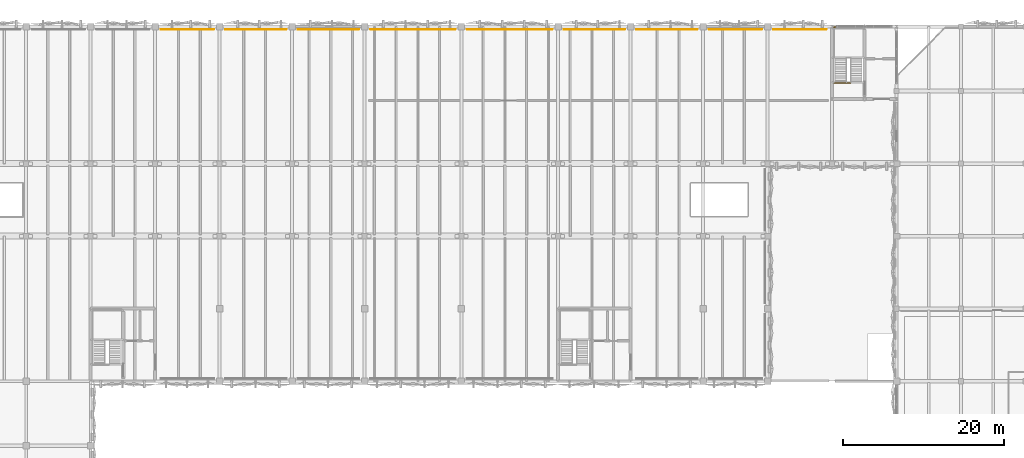
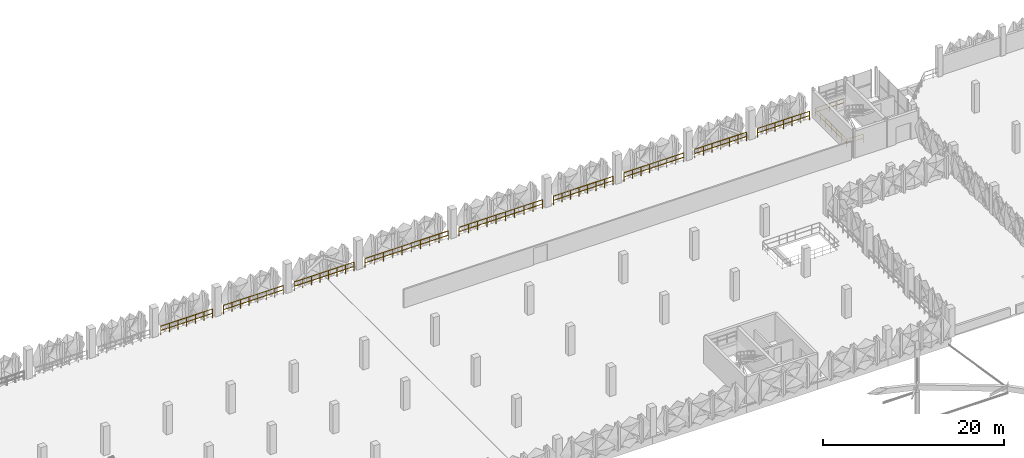
# One storey, part 95 of 96: 10 railings.
"""IFC4 building model written with IfcOpenShell, lengths in metres."""

from ifc_helpers import new_model, si_unit, derived_unit, direction, frame, origin, origin_2d, place, context, subcontext, project, spatial, circle, extrude, material, type_object, element, save


model = new_model("IFC4")

# Units and contexts
model_context = context("Model", 3, precision=1e-05, world=origin(), true_north=direction((0.0, 1.0)))
body_context = subcontext(model_context, "Body", "Model", "MODEL_VIEW")
ifc_project = project(units=[si_unit("LENGTHUNIT", "METRE"), si_unit("AREAUNIT", "SQUARE_METRE"), si_unit("VOLUMEUNIT", "CUBIC_METRE"), si_unit("PLANEANGLEUNIT", "RADIAN"), si_unit("MASSUNIT", "GRAM", prefix="KILO"), si_unit("THERMODYNAMICTEMPERATUREUNIT", "KELVIN"), derived_unit("THERMALTRANSMITTANCEUNIT", [(si_unit("POWERUNIT", "WATT"), 1), (si_unit("AREAUNIT", "SQUARE_METRE"), -1), (si_unit("THERMODYNAMICTEMPERATUREUNIT", "KELVIN"), -1)])], contexts=[model_context])

# Site, building, storey
site_placement = place(None, origin())
site = spatial("IfcSite", under=ifc_project, at=site_placement, CompositionType="ELEMENT")
building_placement = place(site_placement, origin())
building = spatial("IfcBuilding", under=site, at=building_placement, Name="Haiyu Intermodal Mobility Hub", CompositionType="ELEMENT")
storey_placement = place(building_placement, frame((0.0, 0.0, 9.5)))
storey = spatial("IfcBuildingStorey", under=building, at=storey_placement, Name="L02", CompositionType="ELEMENT", Elevation=9.5)

# Railings
ifc_material = material(Name="Steel Q355C", Category="steel")
railing_type_1 = type_object("IfcRailingType", Name="RAL-GR01", PredefinedType="GUARDRAIL", material=ifc_material)
railing_1_placement = place(storey_placement, frame((77.300048828125, 147.659912109375, 0.0)))
element("IfcRailing", 1, at=railing_1_placement, inside=storey, type_object=railing_type_1, Name="RAL-CAR-N-0037", PredefinedType="GUARDRAIL", context=body_context, shape_type="SweptSolid", body=[
    extrude(circle(Radius=0.02392578125, at=origin_2d()), frame((-0.030029296875, 0.0, 1.17578125), z_axis=(-1.0, 0.0, 0.0), x_axis=(0.0, -1.0, 0.0)), (0.0, 0.0, 1.0), 6.5400390625),
    extrude(circle(Radius=0.02392578125, at=origin_2d()), frame((-0.037353515625, 0.0, 0.60009765625), z_axis=(-1.0, 0.0, 0.0), x_axis=(0.0, -1.0, 0.0)), (0.0, 0.0, 1.0), 1.025390625),
    extrude(circle(Radius=0.02392578125, at=origin_2d()), frame((-1.13720703125, 0.0, 0.60009765625), z_axis=(-1.0, 0.0, 0.0), x_axis=(0.0, -1.0, 0.0)), (0.0, 0.0, 1.0), 1.025390625),
    extrude(circle(Radius=0.02392578125, at=origin_2d()), frame((-2.2373046875, 0.0, 0.60009765625), z_axis=(-1.0, 0.0, 0.0), x_axis=(0.0, -1.0, 0.0)), (0.0, 0.0, 1.0), 1.025390625),
    extrude(circle(Radius=0.02392578125, at=origin_2d()), frame((-3.33740234375, 0.0, 0.60009765625), z_axis=(-1.0, 0.0, 0.0), x_axis=(0.0, -1.0, 0.0)), (0.0, 0.0, 1.0), 1.025390625),
    extrude(circle(Radius=0.02392578125, at=origin_2d()), frame((-4.437255859375, 0.0, 0.60009765625), z_axis=(-1.0, 0.0, 0.0), x_axis=(0.0, -1.0, 0.0)), (0.0, 0.0, 1.0), 1.025390625),
    extrude(circle(Radius=0.02392578125, at=origin_2d()), frame((-5.537353515625, 0.0, 0.60009765625), z_axis=(-1.0, 0.0, 0.0), x_axis=(0.0, -1.0, 0.0)), (0.0, 0.0, 1.0), 1.025390625),
    extrude(circle(Radius=0.02099609375, at=origin_2d()), origin(), (0.0, 0.0, 1.0), 1.143798828125),
    extrude(circle(Radius=0.02099609375, at=origin_2d()), frame((-1.10009765625, 0.0, 0.0)), (0.0, 0.0, 1.0), 1.143798828125),
    extrude(circle(Radius=0.02099609375, at=origin_2d()), frame((-2.199951171875, 0.0, 0.0)), (0.0, 0.0, 1.0), 1.143798828125),
    extrude(circle(Radius=0.02099609375, at=origin_2d()), frame((-3.300048828125, 0.0, 0.0)), (0.0, 0.0, 1.0), 1.143798828125),
    extrude(circle(Radius=0.02099609375, at=origin_2d()), frame((-4.400146484375, 0.0, 0.0)), (0.0, 0.0, 1.0), 1.143798828125),
    extrude(circle(Radius=0.02099609375, at=origin_2d()), frame((-5.5, 0.0, 0.0)), (0.0, 0.0, 1.0), 1.143798828125),
    extrude(circle(Radius=0.02099609375, at=origin_2d()), frame((-6.60009765625, 0.0, 0.0)), (0.0, 0.0, 1.0), 1.143798828125),
])
railing_2_placement = place(storey_placement, frame((86.300048828125, 147.659912109375, 0.0)))
element("IfcRailing", 2, at=railing_2_placement, inside=storey, type_object=railing_type_1, Name="RAL-CAR-N-0042", PredefinedType="GUARDRAIL", context=body_context, shape_type="SweptSolid", body=[
    extrude(circle(Radius=0.02392578125, at=origin_2d()), frame((-0.030029296875, 0.0, 1.17578125), z_axis=(-1.0, 0.0, 0.0), x_axis=(0.0, -1.0, 0.0)), (0.0, 0.0, 1.0), 7.5400390625),
    extrude(circle(Radius=0.02392578125, at=origin_2d()), frame((-0.037353515625, 0.0, 0.60009765625), z_axis=(-1.0, 0.0, 0.0), x_axis=(0.0, -1.0, 0.0)), (0.0, 0.0, 1.0), 1.01123046875),
    extrude(circle(Radius=0.02392578125, at=origin_2d()), frame((-1.123046875, 0.0, 0.60009765625), z_axis=(-1.0, 0.0, 0.0), x_axis=(0.0, -1.0, 0.0)), (0.0, 0.0, 1.0), 1.01123046875),
    extrude(circle(Radius=0.02392578125, at=origin_2d()), frame((-2.208740234375, 0.0, 0.60009765625), z_axis=(-1.0, 0.0, 0.0), x_axis=(0.0, -1.0, 0.0)), (0.0, 0.0, 1.0), 1.01123046875),
    extrude(circle(Radius=0.02392578125, at=origin_2d()), frame((-3.29443359375, 0.0, 0.60009765625), z_axis=(-1.0, 0.0, 0.0), x_axis=(0.0, -1.0, 0.0)), (0.0, 0.0, 1.0), 1.01123046875),
    extrude(circle(Radius=0.02392578125, at=origin_2d()), frame((-4.380126953125, 0.0, 0.60009765625), z_axis=(-1.0, 0.0, 0.0), x_axis=(0.0, -1.0, 0.0)), (0.0, 0.0, 1.0), 1.01123046875),
    extrude(circle(Radius=0.02392578125, at=origin_2d()), frame((-5.4658203125, 0.0, 0.60009765625), z_axis=(-1.0, 0.0, 0.0), x_axis=(0.0, -1.0, 0.0)), (0.0, 0.0, 1.0), 1.01123046875),
    extrude(circle(Radius=0.02392578125, at=origin_2d()), frame((-6.5517578125, 0.0, 0.60009765625), z_axis=(-1.0, 0.0, 0.0), x_axis=(0.0, -1.0, 0.0)), (0.0, 0.0, 1.0), 1.01123046875),
    extrude(circle(Radius=0.02099609375, at=origin_2d()), origin(), (0.0, 0.0, 1.0), 1.143798828125),
    extrude(circle(Radius=0.02099609375, at=origin_2d()), frame((-1.085693359375, 0.0, 0.0)), (0.0, 0.0, 1.0), 1.143798828125),
    extrude(circle(Radius=0.02099609375, at=origin_2d()), frame((-2.17138671875, 0.0, 0.0)), (0.0, 0.0, 1.0), 1.143798828125),
    extrude(circle(Radius=0.02099609375, at=origin_2d()), frame((-3.257080078125, 0.0, 0.0)), (0.0, 0.0, 1.0), 1.143798828125),
    extrude(circle(Radius=0.02099609375, at=origin_2d()), frame((-4.343017578125, 0.0, 0.0)), (0.0, 0.0, 1.0), 1.143798828125),
    extrude(circle(Radius=0.02099609375, at=origin_2d()), frame((-5.4287109375, 0.0, 0.0)), (0.0, 0.0, 1.0), 1.143798828125),
    extrude(circle(Radius=0.02099609375, at=origin_2d()), frame((-6.514404296875, 0.0, 0.0)), (0.0, 0.0, 1.0), 1.143798828125),
    extrude(circle(Radius=0.02099609375, at=origin_2d()), frame((-7.60009765625, 0.0, 0.0)), (0.0, 0.0, 1.0), 1.143798828125),
])
railing_3_placement = place(storey_placement, frame((95.300048828125, 147.659912109375, 0.0)))
element("IfcRailing", 3, at=railing_3_placement, inside=storey, type_object=railing_type_1, Name="RAL-CAR-N-0047", PredefinedType="GUARDRAIL", context=body_context, shape_type="SweptSolid", body=[
    extrude(circle(Radius=0.02392578125, at=origin_2d()), frame((-0.030029296875, 0.0, 1.17578125), z_axis=(-1.0, 0.0, 0.0), x_axis=(0.0, -1.0, 0.0)), (0.0, 0.0, 1.0), 7.5400390625),
    extrude(circle(Radius=0.02392578125, at=origin_2d()), frame((-0.037353515625, 0.0, 0.60009765625), z_axis=(-1.0, 0.0, 0.0), x_axis=(0.0, -1.0, 0.0)), (0.0, 0.0, 1.0), 1.01123046875),
    extrude(circle(Radius=0.02392578125, at=origin_2d()), frame((-1.123046875, 0.0, 0.60009765625), z_axis=(-1.0, 0.0, 0.0), x_axis=(0.0, -1.0, 0.0)), (0.0, 0.0, 1.0), 1.01123046875),
    extrude(circle(Radius=0.02392578125, at=origin_2d()), frame((-2.208740234375, 0.0, 0.60009765625), z_axis=(-1.0, 0.0, 0.0), x_axis=(0.0, -1.0, 0.0)), (0.0, 0.0, 1.0), 1.01123046875),
    extrude(circle(Radius=0.02392578125, at=origin_2d()), frame((-3.29443359375, 0.0, 0.60009765625), z_axis=(-1.0, 0.0, 0.0), x_axis=(0.0, -1.0, 0.0)), (0.0, 0.0, 1.0), 1.01123046875),
    extrude(circle(Radius=0.02392578125, at=origin_2d()), frame((-4.380126953125, 0.0, 0.60009765625), z_axis=(-1.0, 0.0, 0.0), x_axis=(0.0, -1.0, 0.0)), (0.0, 0.0, 1.0), 1.01123046875),
    extrude(circle(Radius=0.02392578125, at=origin_2d()), frame((-5.4658203125, 0.0, 0.60009765625), z_axis=(-1.0, 0.0, 0.0), x_axis=(0.0, -1.0, 0.0)), (0.0, 0.0, 1.0), 1.01123046875),
    extrude(circle(Radius=0.02392578125, at=origin_2d()), frame((-6.5517578125, 0.0, 0.60009765625), z_axis=(-1.0, 0.0, 0.0), x_axis=(0.0, -1.0, 0.0)), (0.0, 0.0, 1.0), 1.01123046875),
    extrude(circle(Radius=0.02099609375, at=origin_2d()), origin(), (0.0, 0.0, 1.0), 1.143798828125),
    extrude(circle(Radius=0.02099609375, at=origin_2d()), frame((-1.085693359375, 0.0, 0.0)), (0.0, 0.0, 1.0), 1.143798828125),
    extrude(circle(Radius=0.02099609375, at=origin_2d()), frame((-2.17138671875, 0.0, 0.0)), (0.0, 0.0, 1.0), 1.143798828125),
    extrude(circle(Radius=0.02099609375, at=origin_2d()), frame((-3.257080078125, 0.0, 0.0)), (0.0, 0.0, 1.0), 1.143798828125),
    extrude(circle(Radius=0.02099609375, at=origin_2d()), frame((-4.343017578125, 0.0, 0.0)), (0.0, 0.0, 1.0), 1.143798828125),
    extrude(circle(Radius=0.02099609375, at=origin_2d()), frame((-5.4287109375, 0.0, 0.0)), (0.0, 0.0, 1.0), 1.143798828125),
    extrude(circle(Radius=0.02099609375, at=origin_2d()), frame((-6.514404296875, 0.0, 0.0)), (0.0, 0.0, 1.0), 1.143798828125),
    extrude(circle(Radius=0.02099609375, at=origin_2d()), frame((-7.60009765625, 0.0, 0.0)), (0.0, 0.0, 1.0), 1.143798828125),
])
railing_4_placement = place(storey_placement, frame((107.300048828125, 147.659912109375, 0.0)))
element("IfcRailing", 4, at=railing_4_placement, inside=storey, type_object=railing_type_1, Name="RAL-CAR-N-0052", PredefinedType="GUARDRAIL", context=body_context, shape_type="SweptSolid", body=[
    extrude(circle(Radius=0.02392578125, at=origin_2d()), frame((-0.030029296875, 0.0, 1.17578125), z_axis=(-1.0, 0.0, 0.0), x_axis=(0.0, -1.0, 0.0)), (0.0, 0.0, 1.0), 10.5400390625),
    extrude(circle(Radius=0.02392578125, at=origin_2d()), frame((-0.037353515625, 0.0, 0.60009765625), z_axis=(-1.0, 0.0, 0.0), x_axis=(0.0, -1.0, 0.0)), (0.0, 0.0, 1.0), 1.103271484375),
    extrude(circle(Radius=0.02392578125, at=origin_2d()), frame((-1.215087890625, 0.0, 0.60009765625), z_axis=(-1.0, 0.0, 0.0), x_axis=(0.0, -1.0, 0.0)), (0.0, 0.0, 1.0), 1.103271484375),
    extrude(circle(Radius=0.02392578125, at=origin_2d()), frame((-2.392822265625, 0.0, 0.60009765625), z_axis=(-1.0, 0.0, 0.0), x_axis=(0.0, -1.0, 0.0)), (0.0, 0.0, 1.0), 1.103271484375),
    extrude(circle(Radius=0.02392578125, at=origin_2d()), frame((-3.570556640625, 0.0, 0.60009765625), z_axis=(-1.0, 0.0, 0.0), x_axis=(0.0, -1.0, 0.0)), (0.0, 0.0, 1.0), 1.103271484375),
    extrude(circle(Radius=0.02392578125, at=origin_2d()), frame((-4.74853515625, 0.0, 0.60009765625), z_axis=(-1.0, 0.0, 0.0), x_axis=(0.0, -1.0, 0.0)), (0.0, 0.0, 1.0), 1.103271484375),
    extrude(circle(Radius=0.02392578125, at=origin_2d()), frame((-5.92626953125, 0.0, 0.60009765625), z_axis=(-1.0, 0.0, 0.0), x_axis=(0.0, -1.0, 0.0)), (0.0, 0.0, 1.0), 1.103271484375),
    extrude(circle(Radius=0.02392578125, at=origin_2d()), frame((-7.10400390625, 0.0, 0.60009765625), z_axis=(-1.0, 0.0, 0.0), x_axis=(0.0, -1.0, 0.0)), (0.0, 0.0, 1.0), 1.103271484375),
    extrude(circle(Radius=0.02392578125, at=origin_2d()), frame((-8.28173828125, 0.0, 0.60009765625), z_axis=(-1.0, 0.0, 0.0), x_axis=(0.0, -1.0, 0.0)), (0.0, 0.0, 1.0), 1.103271484375),
    extrude(circle(Radius=0.02392578125, at=origin_2d()), frame((-9.459716796875, 0.0, 0.60009765625), z_axis=(-1.0, 0.0, 0.0), x_axis=(0.0, -1.0, 0.0)), (0.0, 0.0, 1.0), 1.103271484375),
    extrude(circle(Radius=0.02099609375, at=origin_2d()), origin(), (0.0, 0.0, 1.0), 1.143798828125),
    extrude(circle(Radius=0.02099609375, at=origin_2d()), frame((-1.177734375, 0.0, 0.0)), (0.0, 0.0, 1.0), 1.143798828125),
    extrude(circle(Radius=0.02099609375, at=origin_2d()), frame((-2.35546875, 0.0, 0.0)), (0.0, 0.0, 1.0), 1.143798828125),
    extrude(circle(Radius=0.02099609375, at=origin_2d()), frame((-3.533447265625, 0.0, 0.0)), (0.0, 0.0, 1.0), 1.143798828125),
    extrude(circle(Radius=0.02099609375, at=origin_2d()), frame((-4.711181640625, 0.0, 0.0)), (0.0, 0.0, 1.0), 1.143798828125),
    extrude(circle(Radius=0.02099609375, at=origin_2d()), frame((-5.888916015625, 0.0, 0.0)), (0.0, 0.0, 1.0), 1.143798828125),
    extrude(circle(Radius=0.02099609375, at=origin_2d()), frame((-7.066650390625, 0.0, 0.0)), (0.0, 0.0, 1.0), 1.143798828125),
    extrude(circle(Radius=0.02099609375, at=origin_2d()), frame((-8.24462890625, 0.0, 0.0)), (0.0, 0.0, 1.0), 1.143798828125),
    extrude(circle(Radius=0.02099609375, at=origin_2d()), frame((-9.42236328125, 0.0, 0.0)), (0.0, 0.0, 1.0), 1.143798828125),
    extrude(circle(Radius=0.02099609375, at=origin_2d()), frame((-10.60009765625, 0.0, 0.0)), (0.0, 0.0, 1.0), 1.143798828125),
])
railing_5_placement = place(storey_placement, frame((119.300048828125, 147.659912109375, 0.0)))
element("IfcRailing", 5, at=railing_5_placement, inside=storey, type_object=railing_type_1, Name="RAL-CAR-N-0057", PredefinedType="GUARDRAIL", context=body_context, shape_type="SweptSolid", body=[
    extrude(circle(Radius=0.02392578125, at=origin_2d()), frame((-0.030029296875, 0.0, 1.17578125), z_axis=(-1.0, 0.0, 0.0), x_axis=(0.0, -1.0, 0.0)), (0.0, 0.0, 1.0), 10.5400390625),
    extrude(circle(Radius=0.02392578125, at=origin_2d()), frame((-0.037353515625, 0.0, 0.60009765625), z_axis=(-1.0, 0.0, 0.0), x_axis=(0.0, -1.0, 0.0)), (0.0, 0.0, 1.0), 1.103271484375),
    extrude(circle(Radius=0.02392578125, at=origin_2d()), frame((-1.215087890625, 0.0, 0.60009765625), z_axis=(-1.0, 0.0, 0.0), x_axis=(0.0, -1.0, 0.0)), (0.0, 0.0, 1.0), 1.103271484375),
    extrude(circle(Radius=0.02392578125, at=origin_2d()), frame((-2.392822265625, 0.0, 0.60009765625), z_axis=(-1.0, 0.0, 0.0), x_axis=(0.0, -1.0, 0.0)), (0.0, 0.0, 1.0), 1.103271484375),
    extrude(circle(Radius=0.02392578125, at=origin_2d()), frame((-3.570556640625, 0.0, 0.60009765625), z_axis=(-1.0, 0.0, 0.0), x_axis=(0.0, -1.0, 0.0)), (0.0, 0.0, 1.0), 1.103271484375),
    extrude(circle(Radius=0.02392578125, at=origin_2d()), frame((-4.74853515625, 0.0, 0.60009765625), z_axis=(-1.0, 0.0, 0.0), x_axis=(0.0, -1.0, 0.0)), (0.0, 0.0, 1.0), 1.103271484375),
    extrude(circle(Radius=0.02392578125, at=origin_2d()), frame((-5.92626953125, 0.0, 0.60009765625), z_axis=(-1.0, 0.0, 0.0), x_axis=(0.0, -1.0, 0.0)), (0.0, 0.0, 1.0), 1.103271484375),
    extrude(circle(Radius=0.02392578125, at=origin_2d()), frame((-7.10400390625, 0.0, 0.60009765625), z_axis=(-1.0, 0.0, 0.0), x_axis=(0.0, -1.0, 0.0)), (0.0, 0.0, 1.0), 1.103271484375),
    extrude(circle(Radius=0.02392578125, at=origin_2d()), frame((-8.28173828125, 0.0, 0.60009765625), z_axis=(-1.0, 0.0, 0.0), x_axis=(0.0, -1.0, 0.0)), (0.0, 0.0, 1.0), 1.103271484375),
    extrude(circle(Radius=0.02392578125, at=origin_2d()), frame((-9.459716796875, 0.0, 0.60009765625), z_axis=(-1.0, 0.0, 0.0), x_axis=(0.0, -1.0, 0.0)), (0.0, 0.0, 1.0), 1.103271484375),
    extrude(circle(Radius=0.02099609375, at=origin_2d()), origin(), (0.0, 0.0, 1.0), 1.143798828125),
    extrude(circle(Radius=0.02099609375, at=origin_2d()), frame((-1.177734375, 0.0, 0.0)), (0.0, 0.0, 1.0), 1.143798828125),
    extrude(circle(Radius=0.02099609375, at=origin_2d()), frame((-2.35546875, 0.0, 0.0)), (0.0, 0.0, 1.0), 1.143798828125),
    extrude(circle(Radius=0.02099609375, at=origin_2d()), frame((-3.533447265625, 0.0, 0.0)), (0.0, 0.0, 1.0), 1.143798828125),
    extrude(circle(Radius=0.02099609375, at=origin_2d()), frame((-4.711181640625, 0.0, 0.0)), (0.0, 0.0, 1.0), 1.143798828125),
    extrude(circle(Radius=0.02099609375, at=origin_2d()), frame((-5.888916015625, 0.0, 0.0)), (0.0, 0.0, 1.0), 1.143798828125),
    extrude(circle(Radius=0.02099609375, at=origin_2d()), frame((-7.066650390625, 0.0, 0.0)), (0.0, 0.0, 1.0), 1.143798828125),
    extrude(circle(Radius=0.02099609375, at=origin_2d()), frame((-8.24462890625, 0.0, 0.0)), (0.0, 0.0, 1.0), 1.143798828125),
    extrude(circle(Radius=0.02099609375, at=origin_2d()), frame((-9.42236328125, 0.0, 0.0)), (0.0, 0.0, 1.0), 1.143798828125),
    extrude(circle(Radius=0.02099609375, at=origin_2d()), frame((-10.60009765625, 0.0, 0.0)), (0.0, 0.0, 1.0), 1.143798828125),
])
railing_6_placement = place(storey_placement, frame((128.300048828125, 147.659912109375, 0.0)))
element("IfcRailing", 6, at=railing_6_placement, inside=storey, type_object=railing_type_1, Name="RAL-CAR-N-0062", PredefinedType="GUARDRAIL", context=body_context, shape_type="SweptSolid", body=[
    extrude(circle(Radius=0.02392578125, at=origin_2d()), frame((-0.030029296875, 0.0, 1.17578125), z_axis=(-1.0, 0.0, 0.0), x_axis=(0.0, -1.0, 0.0)), (0.0, 0.0, 1.0), 7.5400390625),
    extrude(circle(Radius=0.02392578125, at=origin_2d()), frame((-0.037353515625, 0.0, 0.60009765625), z_axis=(-1.0, 0.0, 0.0), x_axis=(0.0, -1.0, 0.0)), (0.0, 0.0, 1.0), 1.01123046875),
    extrude(circle(Radius=0.02392578125, at=origin_2d()), frame((-1.123046875, 0.0, 0.60009765625), z_axis=(-1.0, 0.0, 0.0), x_axis=(0.0, -1.0, 0.0)), (0.0, 0.0, 1.0), 1.01123046875),
    extrude(circle(Radius=0.02392578125, at=origin_2d()), frame((-2.208740234375, 0.0, 0.60009765625), z_axis=(-1.0, 0.0, 0.0), x_axis=(0.0, -1.0, 0.0)), (0.0, 0.0, 1.0), 1.01123046875),
    extrude(circle(Radius=0.02392578125, at=origin_2d()), frame((-3.29443359375, 0.0, 0.60009765625), z_axis=(-1.0, 0.0, 0.0), x_axis=(0.0, -1.0, 0.0)), (0.0, 0.0, 1.0), 1.01123046875),
    extrude(circle(Radius=0.02392578125, at=origin_2d()), frame((-4.380126953125, 0.0, 0.60009765625), z_axis=(-1.0, 0.0, 0.0), x_axis=(0.0, -1.0, 0.0)), (0.0, 0.0, 1.0), 1.01123046875),
    extrude(circle(Radius=0.02392578125, at=origin_2d()), frame((-5.4658203125, 0.0, 0.60009765625), z_axis=(-1.0, 0.0, 0.0), x_axis=(0.0, -1.0, 0.0)), (0.0, 0.0, 1.0), 1.01123046875),
    extrude(circle(Radius=0.02392578125, at=origin_2d()), frame((-6.5517578125, 0.0, 0.60009765625), z_axis=(-1.0, 0.0, 0.0), x_axis=(0.0, -1.0, 0.0)), (0.0, 0.0, 1.0), 1.01123046875),
    extrude(circle(Radius=0.02099609375, at=origin_2d()), origin(), (0.0, 0.0, 1.0), 1.143798828125),
    extrude(circle(Radius=0.02099609375, at=origin_2d()), frame((-1.085693359375, 0.0, 0.0)), (0.0, 0.0, 1.0), 1.143798828125),
    extrude(circle(Radius=0.02099609375, at=origin_2d()), frame((-2.17138671875, 0.0, 0.0)), (0.0, 0.0, 1.0), 1.143798828125),
    extrude(circle(Radius=0.02099609375, at=origin_2d()), frame((-3.257080078125, 0.0, 0.0)), (0.0, 0.0, 1.0), 1.143798828125),
    extrude(circle(Radius=0.02099609375, at=origin_2d()), frame((-4.343017578125, 0.0, 0.0)), (0.0, 0.0, 1.0), 1.143798828125),
    extrude(circle(Radius=0.02099609375, at=origin_2d()), frame((-5.4287109375, 0.0, 0.0)), (0.0, 0.0, 1.0), 1.143798828125),
    extrude(circle(Radius=0.02099609375, at=origin_2d()), frame((-6.514404296875, 0.0, 0.0)), (0.0, 0.0, 1.0), 1.143798828125),
    extrude(circle(Radius=0.02099609375, at=origin_2d()), frame((-7.60009765625, 0.0, 0.0)), (0.0, 0.0, 1.0), 1.143798828125),
])
railing_7_placement = place(storey_placement, frame((137.300048828125, 147.659912109375, 0.0)))
element("IfcRailing", 7, at=railing_7_placement, inside=storey, type_object=railing_type_1, Name="RAL-CAR-N-0068", PredefinedType="GUARDRAIL", context=body_context, shape_type="SweptSolid", body=[
    extrude(circle(Radius=0.02392578125, at=origin_2d()), frame((-0.030029296875, 0.0, 1.17578125), z_axis=(-1.0, 0.0, 0.0), x_axis=(0.0, -1.0, 0.0)), (0.0, 0.0, 1.0), 7.5400390625),
    extrude(circle(Radius=0.02392578125, at=origin_2d()), frame((-0.037353515625, 0.0, 0.60009765625), z_axis=(-1.0, 0.0, 0.0), x_axis=(0.0, -1.0, 0.0)), (0.0, 0.0, 1.0), 1.01123046875),
    extrude(circle(Radius=0.02392578125, at=origin_2d()), frame((-1.123046875, 0.0, 0.60009765625), z_axis=(-1.0, 0.0, 0.0), x_axis=(0.0, -1.0, 0.0)), (0.0, 0.0, 1.0), 1.01123046875),
    extrude(circle(Radius=0.02392578125, at=origin_2d()), frame((-2.208740234375, 0.0, 0.60009765625), z_axis=(-1.0, 0.0, 0.0), x_axis=(0.0, -1.0, 0.0)), (0.0, 0.0, 1.0), 1.01123046875),
    extrude(circle(Radius=0.02392578125, at=origin_2d()), frame((-3.29443359375, 0.0, 0.60009765625), z_axis=(-1.0, 0.0, 0.0), x_axis=(0.0, -1.0, 0.0)), (0.0, 0.0, 1.0), 1.01123046875),
    extrude(circle(Radius=0.02392578125, at=origin_2d()), frame((-4.380126953125, 0.0, 0.60009765625), z_axis=(-1.0, 0.0, 0.0), x_axis=(0.0, -1.0, 0.0)), (0.0, 0.0, 1.0), 1.01123046875),
    extrude(circle(Radius=0.02392578125, at=origin_2d()), frame((-5.4658203125, 0.0, 0.60009765625), z_axis=(-1.0, 0.0, 0.0), x_axis=(0.0, -1.0, 0.0)), (0.0, 0.0, 1.0), 1.01123046875),
    extrude(circle(Radius=0.02392578125, at=origin_2d()), frame((-6.5517578125, 0.0, 0.60009765625), z_axis=(-1.0, 0.0, 0.0), x_axis=(0.0, -1.0, 0.0)), (0.0, 0.0, 1.0), 1.01123046875),
    extrude(circle(Radius=0.02099609375, at=origin_2d()), origin(), (0.0, 0.0, 1.0), 1.143798828125),
    extrude(circle(Radius=0.02099609375, at=origin_2d()), frame((-1.085693359375, 0.0, 0.0)), (0.0, 0.0, 1.0), 1.143798828125),
    extrude(circle(Radius=0.02099609375, at=origin_2d()), frame((-2.17138671875, 0.0, 0.0)), (0.0, 0.0, 1.0), 1.143798828125),
    extrude(circle(Radius=0.02099609375, at=origin_2d()), frame((-3.257080078125, 0.0, 0.0)), (0.0, 0.0, 1.0), 1.143798828125),
    extrude(circle(Radius=0.02099609375, at=origin_2d()), frame((-4.343017578125, 0.0, 0.0)), (0.0, 0.0, 1.0), 1.143798828125),
    extrude(circle(Radius=0.02099609375, at=origin_2d()), frame((-5.4287109375, 0.0, 0.0)), (0.0, 0.0, 1.0), 1.143798828125),
    extrude(circle(Radius=0.02099609375, at=origin_2d()), frame((-6.514404296875, 0.0, 0.0)), (0.0, 0.0, 1.0), 1.143798828125),
    extrude(circle(Radius=0.02099609375, at=origin_2d()), frame((-7.60009765625, 0.0, 0.0)), (0.0, 0.0, 1.0), 1.143798828125),
])
railing_8_placement = place(storey_placement, frame((145.300048828125, 147.659912109375, 0.0)))
element("IfcRailing", 8, at=railing_8_placement, inside=storey, type_object=railing_type_1, Name="RAL-CAR-N-0073", PredefinedType="GUARDRAIL", context=body_context, shape_type="SweptSolid", body=[
    extrude(circle(Radius=0.02392578125, at=origin_2d()), frame((-0.030029296875, 0.0, 1.17578125), z_axis=(-1.0, 0.0, 0.0), x_axis=(0.0, -1.0, 0.0)), (0.0, 0.0, 1.0), 6.5400390625),
    extrude(circle(Radius=0.02392578125, at=origin_2d()), frame((-0.037353515625, 0.0, 0.60009765625), z_axis=(-1.0, 0.0, 0.0), x_axis=(0.0, -1.0, 0.0)), (0.0, 0.0, 1.0), 1.025390625),
    extrude(circle(Radius=0.02392578125, at=origin_2d()), frame((-1.13720703125, 0.0, 0.60009765625), z_axis=(-1.0, 0.0, 0.0), x_axis=(0.0, -1.0, 0.0)), (0.0, 0.0, 1.0), 1.025390625),
    extrude(circle(Radius=0.02392578125, at=origin_2d()), frame((-2.2373046875, 0.0, 0.60009765625), z_axis=(-1.0, 0.0, 0.0), x_axis=(0.0, -1.0, 0.0)), (0.0, 0.0, 1.0), 1.025390625),
    extrude(circle(Radius=0.02392578125, at=origin_2d()), frame((-3.33740234375, 0.0, 0.60009765625), z_axis=(-1.0, 0.0, 0.0), x_axis=(0.0, -1.0, 0.0)), (0.0, 0.0, 1.0), 1.025390625),
    extrude(circle(Radius=0.02392578125, at=origin_2d()), frame((-4.437255859375, 0.0, 0.60009765625), z_axis=(-1.0, 0.0, 0.0), x_axis=(0.0, -1.0, 0.0)), (0.0, 0.0, 1.0), 1.025390625),
    extrude(circle(Radius=0.02392578125, at=origin_2d()), frame((-5.537353515625, 0.0, 0.60009765625), z_axis=(-1.0, 0.0, 0.0), x_axis=(0.0, -1.0, 0.0)), (0.0, 0.0, 1.0), 1.025390625),
    extrude(circle(Radius=0.02099609375, at=origin_2d()), origin(), (0.0, 0.0, 1.0), 1.143798828125),
    extrude(circle(Radius=0.02099609375, at=origin_2d()), frame((-1.10009765625, 0.0, 0.0)), (0.0, 0.0, 1.0), 1.143798828125),
    extrude(circle(Radius=0.02099609375, at=origin_2d()), frame((-2.199951171875, 0.0, 0.0)), (0.0, 0.0, 1.0), 1.143798828125),
    extrude(circle(Radius=0.02099609375, at=origin_2d()), frame((-3.300048828125, 0.0, 0.0)), (0.0, 0.0, 1.0), 1.143798828125),
    extrude(circle(Radius=0.02099609375, at=origin_2d()), frame((-4.400146484375, 0.0, 0.0)), (0.0, 0.0, 1.0), 1.143798828125),
    extrude(circle(Radius=0.02099609375, at=origin_2d()), frame((-5.5, 0.0, 0.0)), (0.0, 0.0, 1.0), 1.143798828125),
    extrude(circle(Radius=0.02099609375, at=origin_2d()), frame((-6.60009765625, 0.0, 0.0)), (0.0, 0.0, 1.0), 1.143798828125),
])
railing_9_placement = place(storey_placement, frame((153.300048828125, 147.659912109375, 0.0)))
element("IfcRailing", 9, at=railing_9_placement, inside=storey, type_object=railing_type_1, Name="RAL-CAR-N-0078", PredefinedType="GUARDRAIL", context=body_context, shape_type="SweptSolid", body=[
    extrude(circle(Radius=0.02392578125, at=origin_2d()), frame((-0.030029296875, 0.0, 1.17578125), z_axis=(-1.0, 0.0, 0.0), x_axis=(0.0, -1.0, 0.0)), (0.0, 0.0, 1.0), 6.5400390625),
    extrude(circle(Radius=0.02392578125, at=origin_2d()), frame((-0.037353515625, 0.0, 0.60009765625), z_axis=(-1.0, 0.0, 0.0), x_axis=(0.0, -1.0, 0.0)), (0.0, 0.0, 1.0), 1.025390625),
    extrude(circle(Radius=0.02392578125, at=origin_2d()), frame((-1.13720703125, 0.0, 0.60009765625), z_axis=(-1.0, 0.0, 0.0), x_axis=(0.0, -1.0, 0.0)), (0.0, 0.0, 1.0), 1.025390625),
    extrude(circle(Radius=0.02392578125, at=origin_2d()), frame((-2.2373046875, 0.0, 0.60009765625), z_axis=(-1.0, 0.0, 0.0), x_axis=(0.0, -1.0, 0.0)), (0.0, 0.0, 1.0), 1.025390625),
    extrude(circle(Radius=0.02392578125, at=origin_2d()), frame((-3.33740234375, 0.0, 0.60009765625), z_axis=(-1.0, 0.0, 0.0), x_axis=(0.0, -1.0, 0.0)), (0.0, 0.0, 1.0), 1.025390625),
    extrude(circle(Radius=0.02392578125, at=origin_2d()), frame((-4.437255859375, 0.0, 0.60009765625), z_axis=(-1.0, 0.0, 0.0), x_axis=(0.0, -1.0, 0.0)), (0.0, 0.0, 1.0), 1.025390625),
    extrude(circle(Radius=0.02392578125, at=origin_2d()), frame((-5.537353515625, 0.0, 0.60009765625), z_axis=(-1.0, 0.0, 0.0), x_axis=(0.0, -1.0, 0.0)), (0.0, 0.0, 1.0), 1.025390625),
    extrude(circle(Radius=0.02099609375, at=origin_2d()), origin(), (0.0, 0.0, 1.0), 1.143798828125),
    extrude(circle(Radius=0.02099609375, at=origin_2d()), frame((-1.10009765625, 0.0, 0.0)), (0.0, 0.0, 1.0), 1.143798828125),
    extrude(circle(Radius=0.02099609375, at=origin_2d()), frame((-2.199951171875, 0.0, 0.0)), (0.0, 0.0, 1.0), 1.143798828125),
    extrude(circle(Radius=0.02099609375, at=origin_2d()), frame((-3.300048828125, 0.0, 0.0)), (0.0, 0.0, 1.0), 1.143798828125),
    extrude(circle(Radius=0.02099609375, at=origin_2d()), frame((-4.400146484375, 0.0, 0.0)), (0.0, 0.0, 1.0), 1.143798828125),
    extrude(circle(Radius=0.02099609375, at=origin_2d()), frame((-5.5, 0.0, 0.0)), (0.0, 0.0, 1.0), 1.143798828125),
    extrude(circle(Radius=0.02099609375, at=origin_2d()), frame((-6.60009765625, 0.0, 0.0)), (0.0, 0.0, 1.0), 1.143798828125),
])
railing_type_2 = type_object("IfcRailingType", Name="RAL-GR03", PredefinedType="GUARDRAIL", material=ifc_material)
railing_10_placement = place(storey_placement, frame((156.31005859375, 141.010009765625, 0.0)))
element("IfcRailing", 10, at=railing_10_placement, inside=storey, type_object=railing_type_2, Name="Stair Shaft Floor Guard STR-C4-L01", PredefinedType="GUARDRAIL", context=body_context, shape_type="SweptSolid", body=[
    extrude(circle(Radius=0.02392578125, at=origin_2d()), frame((-0.030029296875, 0.0, 1.09619140625), z_axis=(-1.0, 0.0, 0.0), x_axis=(0.0, -1.0, 0.0)), (0.0, 0.0, 1.0), 2.030029296875),
    extrude(circle(Radius=0.02392578125, at=origin_2d()), frame((-0.037353515625, 0.0, 0.56005859375), z_axis=(-1.0, 0.0, 0.0), x_axis=(0.0, -1.0, 0.0)), (0.0, 0.0, 1.0), 0.970458984375),
    extrude(circle(Radius=0.02392578125, at=origin_2d()), frame((-1.082275390625, 0.0, 0.56005859375), z_axis=(-1.0, 0.0, 0.0), x_axis=(0.0, -1.0, 0.0)), (0.0, 0.0, 1.0), 0.970458984375),
    extrude(circle(Radius=0.02392578125, at=origin_2d()), frame((-2.090087890625, 0.030029296875, 1.09619140625), z_axis=(0.0, 1.0, 0.0), x_axis=(-1.0, 0.0, 0.0)), (0.0, 0.0, 1.0), 6.8798828125),
    extrude(circle(Radius=0.02392578125, at=origin_2d()), frame((-2.090087890625, 0.037353515625, 0.56005859375), z_axis=(0.0, 1.0, 0.0), x_axis=(-1.0, 0.0, 0.0)), (0.0, 0.0, 1.0), 1.08203125),
    extrude(circle(Radius=0.02392578125, at=origin_2d()), frame((-2.090087890625, 1.19384765625, 0.56005859375), z_axis=(0.0, 1.0, 0.0), x_axis=(-1.0, 0.0, 0.0)), (0.0, 0.0, 1.0), 1.08203125),
    extrude(circle(Radius=0.02392578125, at=origin_2d()), frame((-2.090087890625, 2.3505859375, 0.56005859375), z_axis=(0.0, 1.0, 0.0), x_axis=(-1.0, 0.0, 0.0)), (0.0, 0.0, 1.0), 1.08203125),
    extrude(circle(Radius=0.02392578125, at=origin_2d()), frame((-2.090087890625, 3.50732421875, 0.56005859375), z_axis=(0.0, 1.0, 0.0), x_axis=(-1.0, 0.0, 0.0)), (0.0, 0.0, 1.0), 1.08203125),
    extrude(circle(Radius=0.02392578125, at=origin_2d()), frame((-2.090087890625, 4.663818359375, 0.56005859375), z_axis=(0.0, 1.0, 0.0), x_axis=(-1.0, 0.0, 0.0)), (0.0, 0.0, 1.0), 1.08203125),
    extrude(circle(Radius=0.02392578125, at=origin_2d()), frame((-2.090087890625, 5.820556640625, 0.56005859375), z_axis=(0.0, 1.0, 0.0), x_axis=(-1.0, 0.0, 0.0)), (0.0, 0.0, 1.0), 1.08203125),
    extrude(circle(Radius=0.02392578125, at=origin_2d()), frame((-2.06005859375, 6.93994140625, 1.09619140625), z_axis=(1.0, 0.0, 0.0), x_axis=(0.0, 1.0, 0.0)), (0.0, 0.0, 1.0), 3.590087890625),
    extrude(circle(Radius=0.02392578125, at=origin_2d()), frame((-2.052734375, 6.93994140625, 0.56005859375), z_axis=(1.0, 0.0, 0.0), x_axis=(0.0, 1.0, 0.0)), (0.0, 0.0, 1.0), 0.837890625),
    extrude(circle(Radius=0.02392578125, at=origin_2d()), frame((-1.14013671875, 6.93994140625, 0.56005859375), z_axis=(1.0, 0.0, 0.0), x_axis=(0.0, 1.0, 0.0)), (0.0, 0.0, 1.0), 0.837890625),
    extrude(circle(Radius=0.02392578125, at=origin_2d()), frame((-0.227783203125, 6.93994140625, 0.56005859375), z_axis=(1.0, 0.0, 0.0), x_axis=(0.0, 1.0, 0.0)), (0.0, 0.0, 1.0), 0.837890625),
    extrude(circle(Radius=0.02392578125, at=origin_2d()), frame((0.684814453125, 6.93994140625, 0.56005859375), z_axis=(1.0, 0.0, 0.0), x_axis=(0.0, 1.0, 0.0)), (0.0, 0.0, 1.0), 0.837890625),
    extrude(circle(Radius=0.02099609375, at=origin_2d()), origin(), (0.0, 0.0, 1.0), 1.06396484375),
    extrude(circle(Radius=0.02099609375, at=origin_2d()), frame((-1.044921875, 0.0, 0.0)), (0.0, 0.0, 1.0), 1.06396484375),
    extrude(circle(Radius=0.02099609375, at=origin_2d()), frame((-2.090087890625, 0.0, 0.0)), (0.0, 0.0, 1.0), 1.06396484375),
    extrude(circle(Radius=0.02099609375, at=origin_2d()), frame((-2.090087890625, 1.15673828125, 0.0)), (0.0, 0.0, 1.0), 1.06396484375),
    extrude(circle(Radius=0.02099609375, at=origin_2d()), frame((-2.090087890625, 2.313232421875, 0.0)), (0.0, 0.0, 1.0), 1.06396484375),
    extrude(circle(Radius=0.02099609375, at=origin_2d()), frame((-2.090087890625, 3.469970703125, 0.0)), (0.0, 0.0, 1.0), 1.06396484375),
    extrude(circle(Radius=0.02099609375, at=origin_2d()), frame((-2.090087890625, 4.626708984375, 0.0)), (0.0, 0.0, 1.0), 1.06396484375),
    extrude(circle(Radius=0.02099609375, at=origin_2d()), frame((-2.090087890625, 5.783203125, 0.0)), (0.0, 0.0, 1.0), 1.06396484375),
    extrude(circle(Radius=0.02099609375, at=origin_2d()), frame((-2.090087890625, 6.93994140625, 0.0)), (0.0, 0.0, 1.0), 1.06396484375),
    extrude(circle(Radius=0.02099609375, at=origin_2d()), frame((-1.177490234375, 6.93994140625, 0.0)), (0.0, 0.0, 1.0), 1.06396484375),
    extrude(circle(Radius=0.02099609375, at=origin_2d()), frame((-0.26513671875, 6.93994140625, 0.0)), (0.0, 0.0, 1.0), 1.06396484375),
    extrude(circle(Radius=0.02099609375, at=origin_2d()), frame((0.6474609375, 6.93994140625, 0.0)), (0.0, 0.0, 1.0), 1.06396484375),
    extrude(circle(Radius=0.02099609375, at=origin_2d()), frame((1.56005859375, 6.93994140625, 0.0)), (0.0, 0.0, 1.0), 1.06396484375),
])

save(model, "model.ifc")
